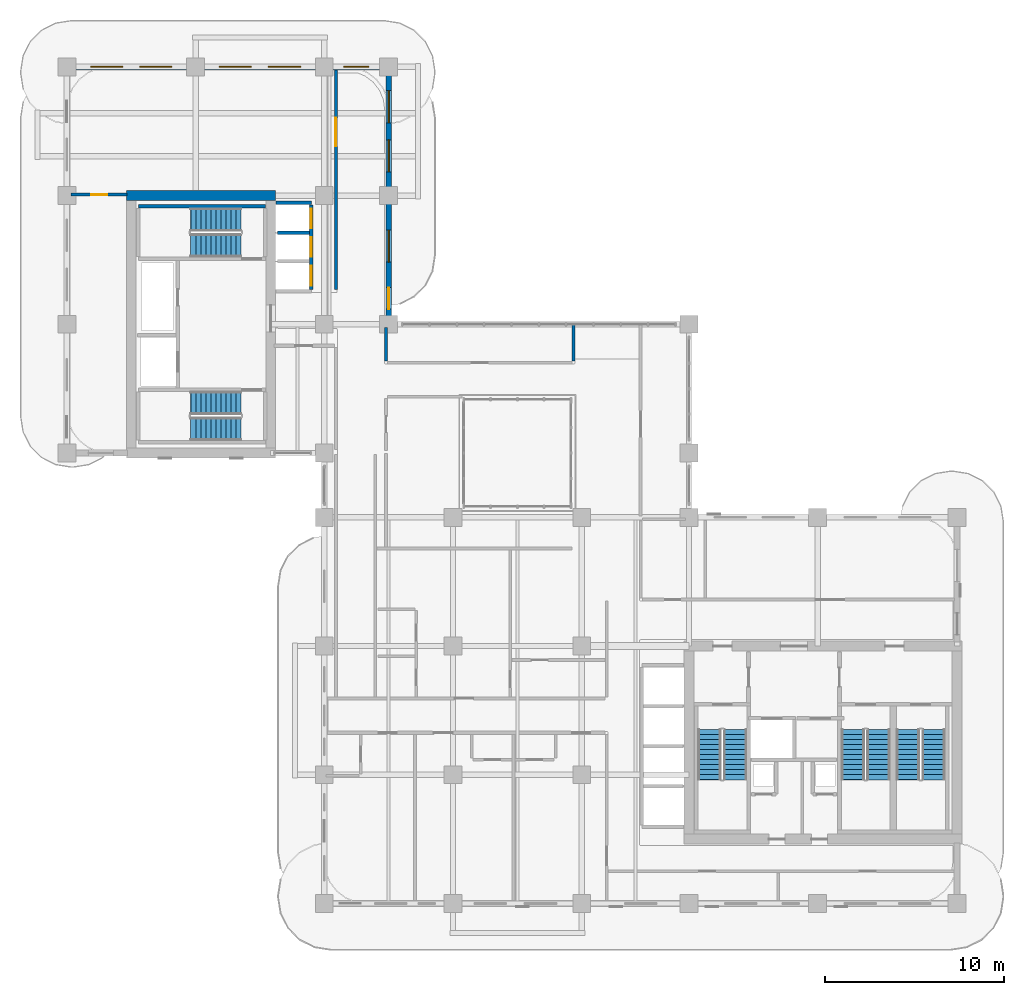
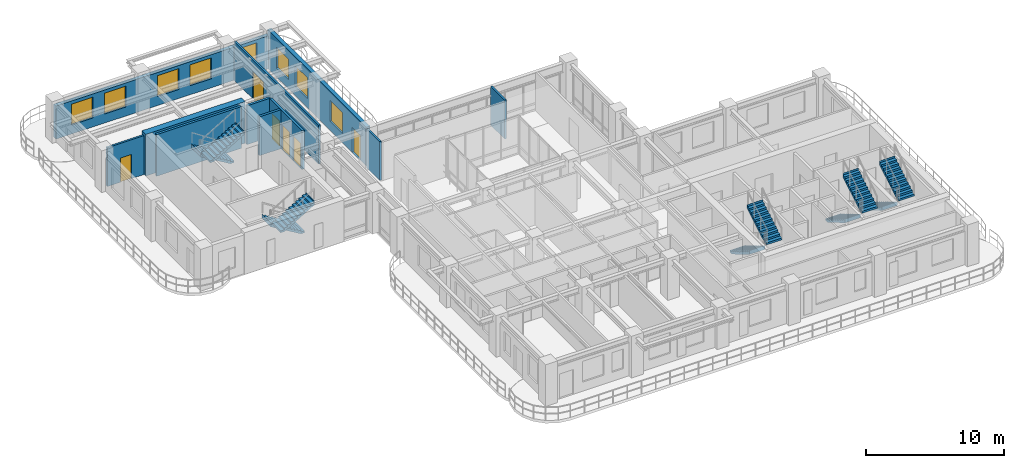
# One storey, part 15 of 20: 11 walls, 10 stair flights, 8 windows, 6 doors, 14 openings, 5 elements without a shape of their own.
"""IFC4 building model written with IfcOpenShell, lengths in metres."""

from ifc_helpers import new_model, si_unit, derived_unit, direction, frame, frame_2d, origin, place, context, subcontext, project, spatial, polyline, rectangle, outline, extrude, source, transform, mapped, material, layer, layer_set, type_object, type_shapes, element, fill, aggregate, save


model = new_model("IFC4")

# Units and contexts
model_context = context("Model", 3, precision=1e-05, world=origin(), true_north=direction((0.0, 1.0)))
body_context = subcontext(model_context, "Body", "Model", "MODEL_VIEW")
ifc_project = project(units=[si_unit("LENGTHUNIT", "METRE"), si_unit("AREAUNIT", "SQUARE_METRE"), si_unit("VOLUMEUNIT", "CUBIC_METRE"), si_unit("PLANEANGLEUNIT", "RADIAN"), si_unit("MASSUNIT", "GRAM", prefix="KILO"), si_unit("THERMODYNAMICTEMPERATUREUNIT", "KELVIN"), si_unit("POWERUNIT", "WATT"), derived_unit("THERMALTRANSMITTANCEUNIT", [(si_unit("POWERUNIT", "WATT"), 1), (si_unit("AREAUNIT", "SQUARE_METRE"), -1), (si_unit("THERMODYNAMICTEMPERATUREUNIT", "KELVIN"), -1)])], contexts=[model_context])

# Site, building, storey
site_placement = place(None, origin())
site = spatial("IfcSite", under=ifc_project, at=site_placement, CompositionType="ELEMENT")
building_placement = place(site_placement, origin())
building = spatial("IfcBuilding", under=site, at=building_placement, Name="Zahravan Archway Hotel and Residences", CompositionType="ELEMENT")
storey_placement = place(building_placement, frame((0.0, 0.0, 130.300048828125)))
storey = spatial("IfcBuildingStorey", under=building, at=storey_placement, Name="L32", CompositionType="ELEMENT", Elevation=130.300048828125)

# Wall
ifc_material_1 = material(Name="Concrete C70/85", Category="concrete")
ifc_layer_1 = layer(ifc_material_1, 0.550048828125, Name="Concrete C70/85", Category="concrete")
ifc_layer_set_1 = layer_set([ifc_layer_1], Name="Concrete C70/85")
wall_type_1 = type_object("IfcWallType", Name="CW-CORE-550", PredefinedType="SHEAR", material=ifc_layer_set_1)
wall_1_placement = place(storey_placement, frame((3.324951171875, 39.60009765625, 0.0), z_axis=(0.0, 0.0, 1.0), x_axis=(1.0, 0.0, 0.0)))
element("IfcWall", 1, at=wall_1_placement, inside=storey, type_object=wall_type_1, Name="L32 Core B Shear N Wall 550 mm", PredefinedType="SHEAR", context=body_context, shape_type="SweptSolid", body=[
    extrude(rectangle(XDim=8.35009765625, YDim=0.550048828125, at=frame_2d((4.175048828125, 0.0))), origin(), (0.0, 0.0, 1.0), 3.699951171875),
])

# Wall, openings, windows
ifc_material_2 = material(Name="Agra Buff Sandstone & Insulated Backup", Category="masonry")
ifc_layer_2 = layer(ifc_material_2, 0.320068359375, Name="Agra Buff Sandstone & Insulated Backup", Category="masonry")
ifc_layer_set_2 = layer_set([ifc_layer_2], Name="Agra Buff Sandstone & Insulated Backup")
wall_type_2 = type_object("IfcWallType", Name="EW-SAND-320", PredefinedType="SOLIDWALL", material=ifc_layer_set_2)
wall_2_placement = place(storey_placement, frame((0.0, 46.800048828125, 0.0), z_axis=(0.0, 0.0, 1.0), x_axis=(1.0, 0.0, 0.0)))
wall_2 = element("IfcWall", 2, at=wall_2_placement, inside=storey, type_object=wall_type_2, Name="L32 Exterior Sandstone Wall WB-N", PredefinedType="SOLIDWALL", context=body_context, shape_type="SweptSolid", body=[
    extrude(rectangle(XDim=18.0, YDim=0.320068359375, at=frame_2d((9.0, 0.0))), origin(), (0.0, 0.0, 1.0), 2.93505859375),
])
opening_1_placement = place(wall_2_placement, frame((1.324951171875, 0.0, 0.800048828125)))
opening_1 = element("IfcOpeningElement", 3, at=opening_1_placement, cuts=wall_2, Name="Opening W-02", PredefinedType="OPENING", context=body_context, shape_type="SweptSolid", body=[
    extrude(rectangle(XDim=1.800048828125, YDim=1.85009765625, at=frame_2d((0.89990234375, 0.925048828125))), frame((0.0, 0.169921875, 0.0), z_axis=(0.0, -1.0, 0.0), x_axis=(1.0, 0.0, 0.0)), (0.0, 0.0, 1.0), 0.340087890625),
])
opening_2_placement = place(wall_2_placement, frame((4.074951171875, 0.0, 0.800048828125)))
opening_2 = element("IfcOpeningElement", 4, at=opening_2_placement, cuts=wall_2, Name="Opening W-02", PredefinedType="OPENING", context=body_context, shape_type="SweptSolid", body=[
    extrude(rectangle(XDim=1.800048828125, YDim=1.85009765625, at=frame_2d((0.89990234375, 0.925048828125))), frame((0.0, 0.169921875, 0.0), z_axis=(0.0, -1.0, 0.0), x_axis=(1.0, 0.0, 0.0)), (0.0, 0.0, 1.0), 0.340087890625),
])
opening_3_placement = place(wall_2_placement, frame((8.52490234375, 0.0, 0.800048828125)))
opening_3 = element("IfcOpeningElement", 5, at=opening_3_placement, cuts=wall_2, Name="Opening W-02", PredefinedType="OPENING", context=body_context, shape_type="SweptSolid", body=[
    extrude(rectangle(XDim=1.800048828125, YDim=1.85009765625, at=frame_2d((0.89990234375, 0.925048828125))), frame((0.0, 0.169921875, 0.0), z_axis=(0.0, -1.0, 0.0), x_axis=(1.0, 0.0, 0.0)), (0.0, 0.0, 1.0), 0.340087890625),
])
opening_4_placement = place(wall_2_placement, frame((11.27490234375, 0.0, 0.800048828125)))
opening_4 = element("IfcOpeningElement", 6, at=opening_4_placement, cuts=wall_2, Name="Opening W-02", PredefinedType="OPENING", context=body_context, shape_type="SweptSolid", body=[
    extrude(rectangle(XDim=1.800048828125, YDim=1.85009765625, at=frame_2d((0.89990234375, 0.925048828125))), frame((0.0, 0.169921875, 0.0), z_axis=(0.0, -1.0, 0.0), x_axis=(1.0, 0.0, 0.0)), (0.0, 0.0, 1.0), 0.340087890625),
])
opening_5_placement = place(wall_2_placement, frame((15.5, 0.0, 0.800048828125)))
opening_5 = element("IfcOpeningElement", 7, at=opening_5_placement, cuts=wall_2, Name="Opening W-03", PredefinedType="OPENING", context=body_context, shape_type="SweptSolid", body=[
    extrude(rectangle(XDim=1.39990234375, YDim=1.85009765625, at=frame_2d((0.699951171875, 0.925048828125))), frame((0.0, 0.169921875, 0.0), z_axis=(0.0, -1.0, 0.0), x_axis=(1.0, 0.0, 0.0)), (0.0, 0.0, 1.0), 0.340087890625),
])
ifc_material_3 = material(Name="Bronze-Anodized Thermal-Break Aluminium & Low-E Glass", Category="aluminium")
window_type_1 = type_object("IfcWindowType", Name="WIN-TWR-1400", PartitioningType="SINGLE_PANEL", PredefinedType="WINDOW", material=ifc_material_3)
shared_shape_1 = source(origin(), body_context, "Body", "SweptSolid", [
    extrude(rectangle(XDim=1.39990234375, YDim=1.85009765625, at=frame_2d((0.699951171875, 0.925048828125))), frame((0.0, 0.030029296875, 0.0), z_axis=(0.0, -1.0, 0.0), x_axis=(1.0, 0.0, 0.0)), (0.0, 0.0, 1.0), 0.06005859375),
])
type_shapes(window_type_1, [shared_shape_1])
window_1_placement = place(opening_5_placement, origin())
window_1 = element("IfcWindow", 8, at=window_1_placement, inside=storey, type_object=window_type_1, Name="L32 Loggia Window 30", OverallHeight=1.85009765625, OverallWidth=1.39990234375, PartitioningType="SINGLE_PANEL", PredefinedType="WINDOW", context=body_context, shape_type="MappedRepresentation", body=[
    mapped(shared_shape_1, transform((0.0, 0.0, 0.0), scale=1.0)),
])
fill(opening_5, window_1)
window_type_2 = type_object("IfcWindowType", Name="WIN-TWR-1800", PartitioningType="DOUBLE_PANEL_VERTICAL", PredefinedType="WINDOW", material=ifc_material_3)
shared_shape_2 = source(origin(), body_context, "Body", "SweptSolid", [
    extrude(rectangle(XDim=1.800048828125, YDim=1.85009765625, at=frame_2d((0.89990234375, 0.925048828125))), frame((0.0, 0.030029296875, 0.0), z_axis=(0.0, -1.0, 0.0), x_axis=(1.0, 0.0, 0.0)), (0.0, 0.0, 1.0), 0.06005859375),
])
type_shapes(window_type_2, [shared_shape_2])
window_2_placement = place(opening_1_placement, origin())
window_2 = element("IfcWindow", 9, at=window_2_placement, inside=storey, type_object=window_type_2, Name="L32 Loggia Window 26", OverallHeight=1.85009765625, OverallWidth=1.800048828125, PartitioningType="DOUBLE_PANEL_VERTICAL", PredefinedType="WINDOW", context=body_context, shape_type="MappedRepresentation", body=[
    mapped(shared_shape_2, transform((0.0, 0.0, 0.0), scale=1.0)),
])
fill(opening_1, window_2)
window_3_placement = place(opening_2_placement, origin())
window_3 = element("IfcWindow", 10, at=window_3_placement, inside=storey, type_object=window_type_2, Name="L32 Loggia Window 27", OverallHeight=1.85009765625, OverallWidth=1.800048828125, PartitioningType="DOUBLE_PANEL_VERTICAL", PredefinedType="WINDOW", context=body_context, shape_type="MappedRepresentation", body=[
    mapped(shared_shape_2, transform((0.0, 0.0, 0.0), scale=1.0)),
])
fill(opening_2, window_3)
window_4_placement = place(opening_3_placement, origin())
window_4 = element("IfcWindow", 11, at=window_4_placement, inside=storey, type_object=window_type_2, Name="L32 Loggia Window 28", OverallHeight=1.85009765625, OverallWidth=1.800048828125, PartitioningType="DOUBLE_PANEL_VERTICAL", PredefinedType="WINDOW", context=body_context, shape_type="MappedRepresentation", body=[
    mapped(shared_shape_2, transform((0.0, 0.0, 0.0), scale=1.0)),
])
fill(opening_3, window_4)
window_5_placement = place(opening_4_placement, origin())
window_5 = element("IfcWindow", 12, at=window_5_placement, inside=storey, type_object=window_type_2, Name="L32 Loggia Window 29", OverallHeight=1.85009765625, OverallWidth=1.800048828125, PartitioningType="DOUBLE_PANEL_VERTICAL", PredefinedType="WINDOW", context=body_context, shape_type="MappedRepresentation", body=[
    mapped(shared_shape_2, transform((0.0, 0.0, 0.0), scale=1.0)),
])
fill(opening_4, window_5)

# Wall, openings, door, windows
wall_3_placement = place(storey_placement, frame((18.0, 32.39990234375, 0.0), z_axis=(0.0, 0.0, 1.0), x_axis=(0.0, 1.0, 0.0)))
wall_3 = element("IfcWall", 13, at=wall_3_placement, inside=storey, type_object=wall_type_2, Name="L32 Exterior Sandstone Wall WB-EU", PredefinedType="SOLIDWALL", context=body_context, shape_type="SweptSolid", body=[
    extrude(rectangle(XDim=14.35009765625, YDim=0.320068359375, at=frame_2d((7.175048828125, 0.0))), origin(), (0.0, 0.0, 1.0), 3.449951171875),
])
opening_6_placement = place(wall_3_placement, frame((0.85009765625, 0.0, 0.0)))
opening_6 = element("IfcOpeningElement", 14, at=opening_6_placement, cuts=wall_3, Name="Opening ED-BL1", PredefinedType="OPENING", context=body_context, shape_type="SweptSolid", body=[
    extrude(rectangle(XDim=1.199951171875, YDim=2.199951171875, at=frame_2d((0.60009765625, 1.10009765625))), frame((0.0, 0.169921875, 0.0), z_axis=(0.0, -1.0, 0.0), x_axis=(1.0, 0.0, 0.0)), (0.0, 0.0, 1.0), 0.340087890625),
])
opening_7_placement = place(wall_3_placement, frame((3.47509765625, 0.0, 0.800048828125)))
opening_7 = element("IfcOpeningElement", 15, at=opening_7_placement, cuts=wall_3, Name="Opening W-02", PredefinedType="OPENING", context=body_context, shape_type="SweptSolid", body=[
    extrude(rectangle(XDim=1.800048828125, YDim=1.85009765625, at=frame_2d((0.89990234375, 0.925048828125))), frame((0.0, 0.169921875, 0.0), z_axis=(0.0, -1.0, 0.0), x_axis=(1.0, 0.0, 0.0)), (0.0, 0.0, 1.0), 0.340087890625),
])
opening_8_placement = place(wall_3_placement, frame((8.52490234375, 0.0, 0.800048828125)))
opening_8 = element("IfcOpeningElement", 16, at=opening_8_placement, cuts=wall_3, Name="Opening W-02", PredefinedType="OPENING", context=body_context, shape_type="SweptSolid", body=[
    extrude(rectangle(XDim=1.800048828125, YDim=1.85009765625, at=frame_2d((0.89990234375, 0.925048828125))), frame((0.0, 0.169921875, 0.0), z_axis=(0.0, -1.0, 0.0), x_axis=(1.0, 0.0, 0.0)), (0.0, 0.0, 1.0), 0.340087890625),
])
opening_9_placement = place(wall_3_placement, frame((11.27490234375, 0.0, 0.800048828125)))
opening_9 = element("IfcOpeningElement", 17, at=opening_9_placement, cuts=wall_3, Name="Opening W-02", PredefinedType="OPENING", context=body_context, shape_type="SweptSolid", body=[
    extrude(rectangle(XDim=1.800048828125, YDim=1.85009765625, at=frame_2d((0.89990234375, 0.925048828125))), frame((0.0, 0.169921875, 0.0), z_axis=(0.0, -1.0, 0.0), x_axis=(1.0, 0.0, 0.0)), (0.0, 0.0, 1.0), 0.340087890625),
])
ifc_material_4 = material(Name="Bronze-Anodized Glazed Aluminium", Category="aluminium")
door_type_1 = type_object("IfcDoorType", Name="ED-BALC-1200", OperationType="SLIDING_TO_LEFT", PredefinedType="DOOR", material=ifc_material_4)
shared_shape_3 = source(origin(), body_context, "Body", "SweptSolid", [
    extrude(rectangle(XDim=1.199951171875, YDim=2.199951171875, at=frame_2d((0.60009765625, 1.10009765625))), frame((0.0, 0.02490234375, 0.0), z_axis=(0.0, -1.0, 0.0), x_axis=(1.0, 0.0, 0.0)), (0.0, 0.0, 1.0), 0.050048828125),
])
type_shapes(door_type_1, [shared_shape_3])
door_1_placement = place(opening_6_placement, origin())
door_1 = element("IfcDoor", 18, at=door_1_placement, inside=storey, type_object=door_type_1, Name="L32 Outdoor Access Sliding Door (SLB-BAL-L32-EB)", OperationType="SLIDING_TO_LEFT", OverallHeight=2.199951171875, OverallWidth=1.199951171875, PredefinedType="DOOR", context=body_context, shape_type="MappedRepresentation", body=[
    mapped(shared_shape_3, transform((0.0, 0.0, 0.0), scale=1.0)),
])
fill(opening_6, door_1)
window_6_placement = place(opening_7_placement, origin())
window_6 = element("IfcWindow", 19, at=window_6_placement, inside=storey, type_object=window_type_2, Name="L32 Loggia Window 31", OverallHeight=1.85009765625, OverallWidth=1.800048828125, PartitioningType="DOUBLE_PANEL_VERTICAL", PredefinedType="WINDOW", context=body_context, shape_type="MappedRepresentation", body=[
    mapped(shared_shape_2, transform((0.0, 0.0, 0.0), scale=1.0)),
])
fill(opening_7, window_6)
window_7_placement = place(opening_8_placement, origin())
window_7 = element("IfcWindow", 20, at=window_7_placement, inside=storey, type_object=window_type_2, Name="L32 Loggia Window 32", OverallHeight=1.85009765625, OverallWidth=1.800048828125, PartitioningType="DOUBLE_PANEL_VERTICAL", PredefinedType="WINDOW", context=body_context, shape_type="MappedRepresentation", body=[
    mapped(shared_shape_2, transform((0.0, 0.0, 0.0), scale=1.0)),
])
fill(opening_8, window_7)
window_8_placement = place(opening_9_placement, origin())
window_8 = element("IfcWindow", 21, at=window_8_placement, inside=storey, type_object=window_type_2, Name="L32 Loggia Window 33", OverallHeight=1.85009765625, OverallWidth=1.800048828125, PartitioningType="DOUBLE_PANEL_VERTICAL", PredefinedType="WINDOW", context=body_context, shape_type="MappedRepresentation", body=[
    mapped(shared_shape_2, transform((0.0, 0.0, 0.0), scale=1.0)),
])
fill(opening_9, window_8)

# Wall, opening, door
ifc_material_5 = material(Name="Fire-Rated Gypsum & Concrete Block", Category="concrete")
ifc_layer_3 = layer(ifc_material_5, 0.159912109375, Name="Fire-Rated Gypsum & Concrete Block", Category="concrete")
ifc_layer_set_3 = layer_set([ifc_layer_3], Name="Fire-Rated Gypsum & Concrete Block")
wall_type_3 = type_object("IfcWallType", Name="PW-CORR-160", PredefinedType="PARTITIONING", material=ifc_layer_set_3)
wall_4_placement = place(storey_placement, frame((15.050048828125, 34.340087890625, 0.0), z_axis=(0.0, 0.0, 1.0), x_axis=(0.0, 1.0, 0.0)))
wall_4 = element("IfcWall", 22, at=wall_4_placement, inside=storey, type_object=wall_type_3, Name="L32 Partition WBN-C", PredefinedType="PARTITIONING", context=body_context, shape_type="SweptSolid", body=[
    extrude(rectangle(XDim=12.2919921875, YDim=0.159912109375, at=frame_2d((6.14599609375, 0.0))), origin(), (0.0, 0.0, 1.0), 3.449951171875),
])
opening_10_placement = place(wall_4_placement, frame((8.010009765625, 0.0, 0.0)))
opening_10 = element("IfcOpeningElement", 23, at=opening_10_placement, cuts=wall_4, Name="Opening D-P2", PredefinedType="OPENING", context=body_context, shape_type="SweptSolid", body=[
    extrude(rectangle(XDim=1.60009765625, YDim=2.39990234375, at=frame_2d((0.800048828125, 1.199951171875))), frame((0.0, 0.08984375, 0.0), z_axis=(0.0, -1.0, 0.0), x_axis=(1.0, 0.0, 0.0)), (0.0, 0.0, 1.0), 0.179931640625),
])
door_type_2 = type_object("IfcDoorType", Name="ID-PUBLIC-1600", OperationType="DOUBLE_DOOR_SINGLE_SWING", PredefinedType="DOOR", material=ifc_material_4)
shared_shape_4 = source(origin(), body_context, "Body", "SweptSolid", [
    extrude(rectangle(XDim=1.60009765625, YDim=2.39990234375, at=frame_2d((0.800048828125, 1.199951171875))), frame((0.0, 0.02490234375, 0.0), z_axis=(0.0, -1.0, 0.0), x_axis=(1.0, 0.0, 0.0)), (0.0, 0.0, 1.0), 0.050048828125),
])
type_shapes(door_type_2, [shared_shape_4])
door_2_placement = place(opening_10_placement, origin())
door_2 = element("IfcDoor", 24, at=door_2_placement, inside=storey, type_object=door_type_2, Name="L32 North Wing Spa Salon Door", OperationType="DOUBLE_DOOR_SINGLE_SWING", OverallHeight=2.39990234375, OverallWidth=1.60009765625, PredefinedType="DOOR", context=body_context, shape_type="MappedRepresentation", body=[
    mapped(shared_shape_4, transform((0.0, 0.0, 0.0), scale=1.0)),
])
fill(opening_10, door_2)

# Walls
wall_5_placement = place(storey_placement, frame((17.85009765625, 30.340087890625, 0.0), z_axis=(0.0, 0.0, 1.0), x_axis=(0.0, 1.0, 0.0)))
element("IfcWall", 25, at=wall_5_placement, inside=storey, type_object=wall_type_3, Name="L32 Partition ATR-NWW2", PredefinedType="PARTITIONING", context=body_context, shape_type="SweptSolid", body=[
    extrude(rectangle(XDim=1.869873046875, YDim=0.159912109375, at=frame_2d((0.93505859375, 0.0))), origin(), (0.0, 0.0, 1.0), 3.449951171875),
])
wall_6_placement = place(storey_placement, frame((28.35009765625, 30.340087890625, 0.0), z_axis=(0.0, 0.0, 1.0), x_axis=(0.0, 1.0, 0.0)))
element("IfcWall", 26, at=wall_6_placement, inside=storey, type_object=wall_type_3, Name="L32 Partition ATR-NWE", PredefinedType="PARTITIONING", context=body_context, shape_type="SweptSolid", body=[
    extrude(rectangle(XDim=2.031982421875, YDim=0.159912109375, at=frame_2d((1.01611328125, 0.0))), origin(), (0.0, 0.0, 1.0), 3.449951171875),
])
ifc_layer_4 = layer(ifc_material_5, 0.199951171875, Name="Fire-Rated Gypsum & Concrete Block", Category="concrete")
ifc_layer_set_4 = layer_set([ifc_layer_4], Name="Fire-Rated Gypsum & Concrete Block")
wall_type_4 = type_object("IfcWallType", Name="PW-SHAFT-200", PredefinedType="PARTITIONING", material=ifc_layer_set_4)
wall_7_placement = place(storey_placement, frame((11.68505859375, 39.18994140625, 0.0), z_axis=(0.0, 0.0, 1.0), x_axis=(1.0, 0.0, 0.0)))
element("IfcWall", 27, at=wall_7_placement, inside=storey, type_object=wall_type_4, Name="L32 Partition B2-N", PredefinedType="PARTITIONING", context=body_context, shape_type="SweptSolid", body=[
    extrude(rectangle(XDim=1.98486328125, YDim=0.199951171875, at=frame_2d((0.992431640625, 0.0))), origin(), (0.0, 0.0, 1.0), 3.449951171875),
])

# Wall, openings, doors
wall_8_placement = place(storey_placement, frame((13.679931640625, 34.360107421875, 0.0), z_axis=(0.0, 0.0, 1.0), x_axis=(0.0, 1.0, 0.0)))
wall_8 = element("IfcWall", 28, at=wall_8_placement, inside=storey, type_object=wall_type_4, Name="L32 Partition B2-E", PredefinedType="PARTITIONING", context=body_context, shape_type="SweptSolid", body=[
    extrude(rectangle(XDim=4.719970703125, YDim=0.199951171875, at=frame_2d((2.35986328125, 0.0))), origin(), (0.0, 0.0, 1.0), 3.449951171875),
])
opening_11_placement = place(wall_8_placement, frame((0.2099609375, 0.0, 0.0)))
opening_11 = element("IfcOpeningElement", 29, at=opening_11_placement, cuts=wall_8, Name="Opening LD", PredefinedType="OPENING", context=body_context, shape_type="SweptSolid", body=[
    extrude(rectangle(XDim=1.10009765625, YDim=2.199951171875, at=frame_2d((0.550048828125, 1.10009765625))), frame((0.0, 0.10986328125, 0.0), z_axis=(0.0, -1.0, 0.0), x_axis=(1.0, 0.0, 0.0)), (0.0, 0.0, 1.0), 0.219970703125),
])
opening_12_placement = place(wall_8_placement, frame((1.81005859375, 0.0, 0.0)))
opening_12 = element("IfcOpeningElement", 30, at=opening_12_placement, cuts=wall_8, Name="Opening LD", PredefinedType="OPENING", context=body_context, shape_type="SweptSolid", body=[
    extrude(rectangle(XDim=1.10009765625, YDim=2.199951171875, at=frame_2d((0.550048828125, 1.10009765625))), frame((0.0, 0.10986328125, 0.0), z_axis=(0.0, -1.0, 0.0), x_axis=(1.0, 0.0, 0.0)), (0.0, 0.0, 1.0), 0.219970703125),
])
opening_13_placement = place(wall_8_placement, frame((3.409912109375, 0.0, 0.0)))
opening_13 = element("IfcOpeningElement", 31, at=opening_13_placement, cuts=wall_8, Name="Opening LD", PredefinedType="OPENING", context=body_context, shape_type="SweptSolid", body=[
    extrude(rectangle(XDim=1.10009765625, YDim=2.199951171875, at=frame_2d((0.550048828125, 1.10009765625))), frame((0.0, 0.10986328125, 0.0), z_axis=(0.0, -1.0, 0.0), x_axis=(1.0, 0.0, 0.0)), (0.0, 0.0, 1.0), 0.219970703125),
])
ifc_material_6 = material(Name="Brushed Stainless Steel", Category="steel")
door_type_3 = type_object("IfcDoorType", Name="DR-LIFT-LD", OperationType="SLIDING_TO_LEFT", PredefinedType="DOOR", material=ifc_material_6)
shared_shape_5 = source(origin(), body_context, "Body", "SweptSolid", [
    extrude(rectangle(XDim=1.10009765625, YDim=2.199951171875, at=frame_2d((0.550048828125, 1.10009765625))), frame((0.0, 0.02490234375, 0.0), z_axis=(0.0, -1.0, 0.0), x_axis=(1.0, 0.0, 0.0)), (0.0, 0.0, 1.0), 0.050048828125),
])
type_shapes(door_type_3, [shared_shape_5])
door_3_placement = place(opening_11_placement, origin())
door_3 = element("IfcDoor", 32, at=door_3_placement, inside=storey, type_object=door_type_3, Name="L32 Lift LP-4 Sliding Landing Door", OperationType="SLIDING_TO_LEFT", OverallHeight=2.199951171875, OverallWidth=1.10009765625, PredefinedType="DOOR", context=body_context, shape_type="MappedRepresentation", body=[
    mapped(shared_shape_5, transform((0.0, 0.0, 0.0), scale=1.0)),
])
fill(opening_11, door_3)
door_4_placement = place(opening_12_placement, origin())
door_4 = element("IfcDoor", 33, at=door_4_placement, inside=storey, type_object=door_type_3, Name="L32 Lift LP-5 Sliding Landing Door", OperationType="SLIDING_TO_LEFT", OverallHeight=2.199951171875, OverallWidth=1.10009765625, PredefinedType="DOOR", context=body_context, shape_type="MappedRepresentation", body=[
    mapped(shared_shape_5, transform((0.0, 0.0, 0.0), scale=1.0)),
])
fill(opening_12, door_4)
door_5_placement = place(opening_13_placement, origin())
door_5 = element("IfcDoor", 34, at=door_5_placement, inside=storey, type_object=door_type_3, Name="L32 Lift LP-6 Sliding Landing Door", OperationType="SLIDING_TO_LEFT", OverallHeight=2.199951171875, OverallWidth=1.10009765625, PredefinedType="DOOR", context=body_context, shape_type="MappedRepresentation", body=[
    mapped(shared_shape_5, transform((0.0, 0.0, 0.0), scale=1.0)),
])
fill(opening_13, door_5)

# Wall
wall_9_placement = place(storey_placement, frame((11.784912109375, 37.52001953125, 0.0), z_axis=(0.0, 0.0, 1.0), x_axis=(1.0, 0.0, 0.0)))
element("IfcWall", 35, at=wall_9_placement, inside=storey, type_object=wall_type_4, Name="L32 Partition B2-D", PredefinedType="PARTITIONING", context=body_context, shape_type="SweptSolid", body=[
    extrude(rectangle(XDim=1.78515625, YDim=0.199951171875, at=frame_2d((0.892578125, 0.0))), origin(), (0.0, 0.0, 1.0), 3.449951171875),
])

# Wall, opening, door
ifc_material_7 = material(Name="Acoustic Stud Partition")
ifc_layer_5 = layer(ifc_material_7, 0.169921875, Name="Acoustic Stud Partition")
ifc_layer_set_5 = layer_set([ifc_layer_5], Name="Acoustic Stud Partition")
wall_type_5 = type_object("IfcWallType", Name="PW-UNIT-170", PredefinedType="PARTITIONING", material=ifc_layer_set_5)
wall_10_placement = place(storey_placement, frame((0.239990234375, 39.64990234375, 0.0), z_axis=(0.0, 0.0, 1.0), x_axis=(1.0, 0.0, 0.0)))
wall_10 = element("IfcWall", 36, at=wall_10_placement, inside=storey, type_object=wall_type_5, Name="L32 Partition WBW-N", PredefinedType="PARTITIONING", context=body_context, shape_type="SweptSolid", body=[
    extrude(rectangle(XDim=3.1201171875, YDim=0.169921875, at=frame_2d((1.56005859375, 0.0))), origin(), (0.0, 0.0, 1.0), 3.449951171875),
])
opening_14_placement = place(wall_10_placement, frame((1.110107421875, 0.0, 0.0)))
opening_14 = element("IfcOpeningElement", 37, at=opening_14_placement, cuts=wall_10, Name="Opening D-I2", PredefinedType="OPENING", context=body_context, shape_type="SweptSolid", body=[
    extrude(rectangle(XDim=0.89990234375, YDim=2.14990234375, at=frame_2d((0.449951171875, 1.074951171875))), frame((0.0, 0.094970703125, 0.0), z_axis=(0.0, -1.0, 0.0), x_axis=(1.0, 0.0, 0.0)), (0.0, 0.0, 1.0), 0.18994140625),
])
ifc_material_8 = material(Name="Hardwood Veneer Timber", Category="wood")
door_type_4 = type_object("IfcDoorType", Name="ID-INT-900", OperationType="NOTDEFINED", PredefinedType="DOOR", material=ifc_material_8)
shared_shape_6 = source(origin(), body_context, "Body", "SweptSolid", [
    extrude(rectangle(XDim=0.89990234375, YDim=2.14990234375, at=frame_2d((0.449951171875, 1.074951171875))), frame((0.0, 0.02490234375, 0.0), z_axis=(0.0, -1.0, 0.0), x_axis=(1.0, 0.0, 0.0)), (0.0, 0.0, 1.0), 0.050048828125),
])
type_shapes(door_type_4, [shared_shape_6])
door_6_placement = place(opening_14_placement, origin())
door_6 = element("IfcDoor", 38, at=door_6_placement, inside=storey, type_object=door_type_4, Name="L32 West Loggia Salon Door", OperationType="SINGLE_SWING_RIGHT", OverallHeight=2.14990234375, OverallWidth=0.89990234375, PredefinedType="DOOR", context=body_context, shape_type="MappedRepresentation", body=[
    mapped(shared_shape_6, transform((0.0, 0.0, 0.0), scale=1.0)),
])
fill(opening_14, door_6)

# Wall
ifc_material_9 = material(Name="Concrete C50/60", Category="concrete")
ifc_layer_6 = layer(ifc_material_9, 0.199951171875, Name="Concrete C50/60", Category="concrete")
ifc_layer_set_6 = layer_set([ifc_layer_6], Name="Concrete C50/60")
wall_type_6 = type_object("IfcWallType", Name="SW-STAIR-200", PredefinedType="SHEAR", material=ifc_layer_set_6)
wall_11_placement = place(storey_placement, frame((4.0, 39.0, 0.0), z_axis=(0.0, 0.0, 1.0), x_axis=(1.0, 0.0, 0.0)))
element("IfcWall", 39, at=wall_11_placement, inside=storey, type_object=wall_type_6, Name="L32 Stairwell RC Wall CB-SB2N", PredefinedType="SHEAR", context=body_context, shape_type="SweptSolid", body=[
    extrude(rectangle(XDim=7.10009765625, YDim=0.199951171875, at=frame_2d((3.550048828125, 0.0))), origin(), (0.0, 0.0, 1.0), 3.699951171875),
])

# Stair, stair flights
stair_type = type_object("IfcStairType", Name="STR-CORE-1300", PredefinedType="HALF_TURN_STAIR", material=ifc_material_9)
stair_1_placement = place(storey_placement, origin())
stair_1 = element("IfcStair", 40, at=stair_1_placement, inside=storey, type_object=stair_type, Name="L32 Core A Exit Stair 1", PredefinedType="HALF_TURN_STAIR")
ifc_layer_7 = layer(ifc_material_9, 0.199951171875, Name="Concrete C50/60", Category="concrete")
ifc_layer_set_7 = layer_set([ifc_layer_7], Name="Concrete C50/60")
stair_flight_type = type_object("IfcStairFlightType", Name="SFL-CORE-1300", PredefinedType="STRAIGHT", material=ifc_layer_set_7)
shared_shape_7 = source(origin(), body_context, "Body", "SweptSolid", [
    extrude(outline(polyline([(-0.01611328125, 0.0), (-0.01611328125, 0.168212890625), (0.280029296875, 0.168212890625), (0.280029296875, 0.33642578125), (0.56005859375, 0.33642578125), (0.56005859375, 0.504638671875), (0.840087890625, 0.504638671875), (0.840087890625, 0.672607421875), (1.1201171875, 0.672607421875), (1.1201171875, 0.8408203125), (1.39990234375, 0.8408203125), (1.39990234375, 1.009033203125), (1.679931640625, 1.009033203125), (1.679931640625, 1.17724609375), (1.9599609375, 1.17724609375), (1.9599609375, 1.345458984375), (2.239990234375, 1.345458984375), (2.239990234375, 1.513671875), (2.52001953125, 1.513671875), (2.52001953125, 1.681884765625), (2.800048828125, 1.681884765625), (2.800048828125, 1.85009765625), (2.816162109375, 1.85009765625), (2.816162109375, 1.5068359375), (0.291015625, 0.0), (-0.01611328125, 0.0)])), frame((0.0, 0.64990234375, 0.0), z_axis=(0.0, -1.0, 0.0), x_axis=(1.0, 0.0, 0.0)), (0.0, 0.0, 1.0), 1.300048828125),
])
stair_flight_1_placement = place(storey_placement, frame((35.949951171875, 9.72998046875, 0.0), z_axis=(0.0, 0.0, 1.0), x_axis=(0.0, -1.0, 0.0)))
stair_flight_1 = element("IfcStairFlight", 41, at=stair_flight_1_placement, type_object=stair_flight_type, Name="ST-A1 flight 1", NumberOfRisers=11, NumberOfTreads=10, PredefinedType="STRAIGHT", RiserHeight=0.168181818, TreadLength=0.28, context=body_context, shape_type="MappedRepresentation", body=[
    mapped(shared_shape_7, transform((0.0, 0.0, 0.0), scale=1.0)),
])
stair_flight_2_placement = place(storey_placement, frame((37.389892578125, 6.929931640625, 1.849853515625), z_axis=(0.0, 0.0, 1.0), x_axis=(0.0, 1.0, 0.0)))
stair_flight_2 = element("IfcStairFlight", 42, at=stair_flight_2_placement, type_object=stair_flight_type, Name="ST-A1 flight 2", NumberOfRisers=11, NumberOfTreads=10, PredefinedType="STRAIGHT", RiserHeight=0.168181818, TreadLength=0.28, context=body_context, shape_type="MappedRepresentation", body=[
    mapped(shared_shape_7, transform((0.0, 0.0, 0.0), scale=1.0)),
])
aggregate(stair_1, [stair_flight_1, stair_flight_2])

stair_2_placement = place(storey_placement, origin())
stair_2 = element("IfcStair", 43, at=stair_2_placement, inside=storey, type_object=stair_type, Name="L32 Core A Exit Stair 2", PredefinedType="HALF_TURN_STAIR")
stair_flight_3_placement = place(storey_placement, frame((43.969970703125, 9.72998046875, 0.0), z_axis=(0.0, 0.0, 1.0), x_axis=(0.0, -1.0, 0.0)))
stair_flight_3 = element("IfcStairFlight", 44, at=stair_flight_3_placement, type_object=stair_flight_type, Name="ST-A2 flight 1", NumberOfRisers=11, NumberOfTreads=10, PredefinedType="STRAIGHT", RiserHeight=0.168181818, TreadLength=0.28, context=body_context, shape_type="MappedRepresentation", body=[
    mapped(shared_shape_7, transform((0.0, 0.0, 0.0), scale=1.0)),
])
stair_flight_4_placement = place(storey_placement, frame((45.409912109375, 6.929931640625, 1.849853515625), z_axis=(0.0, 0.0, 1.0), x_axis=(0.0, 1.0, 0.0)))
stair_flight_4 = element("IfcStairFlight", 45, at=stair_flight_4_placement, type_object=stair_flight_type, Name="ST-A2 flight 2", NumberOfRisers=11, NumberOfTreads=10, PredefinedType="STRAIGHT", RiserHeight=0.168181818, TreadLength=0.28, context=body_context, shape_type="MappedRepresentation", body=[
    mapped(shared_shape_7, transform((0.0, 0.0, 0.0), scale=1.0)),
])
aggregate(stair_2, [stair_flight_3, stair_flight_4])

stair_3_placement = place(storey_placement, origin())
stair_3 = element("IfcStair", 46, at=stair_3_placement, inside=storey, type_object=stair_type, Name="L32 Core A Exit Stair 3", PredefinedType="HALF_TURN_STAIR")
stair_flight_5_placement = place(storey_placement, frame((47.050048828125, 9.72998046875, 0.0), z_axis=(0.0, 0.0, 1.0), x_axis=(0.0, -1.0, 0.0)))
stair_flight_5 = element("IfcStairFlight", 47, at=stair_flight_5_placement, type_object=stair_flight_type, Name="ST-A3 flight 1", NumberOfRisers=11, NumberOfTreads=10, PredefinedType="STRAIGHT", RiserHeight=0.168181818, TreadLength=0.28, context=body_context, shape_type="MappedRepresentation", body=[
    mapped(shared_shape_7, transform((0.0, 0.0, 0.0), scale=1.0)),
])
stair_flight_6_placement = place(storey_placement, frame((48.489990234375, 6.929931640625, 1.849853515625), z_axis=(0.0, 0.0, 1.0), x_axis=(0.0, 1.0, 0.0)))
stair_flight_6 = element("IfcStairFlight", 48, at=stair_flight_6_placement, type_object=stair_flight_type, Name="ST-A3 flight 2", NumberOfRisers=11, NumberOfTreads=10, PredefinedType="STRAIGHT", RiserHeight=0.168181818, TreadLength=0.28, context=body_context, shape_type="MappedRepresentation", body=[
    mapped(shared_shape_7, transform((0.0, 0.0, 0.0), scale=1.0)),
])
aggregate(stair_3, [stair_flight_5, stair_flight_6])

stair_4_placement = place(storey_placement, origin())
stair_4 = element("IfcStair", 49, at=stair_4_placement, inside=storey, type_object=stair_type, Name="L32 Core B Exit Stair 1", PredefinedType="HALF_TURN_STAIR")
stair_flight_7_placement = place(storey_placement, frame((9.72998046875, 27.989990234375, 0.0), z_axis=(0.0, 0.0, 1.0), x_axis=(-1.0, 0.0, 0.0)))
stair_flight_7 = element("IfcStairFlight", 50, at=stair_flight_7_placement, type_object=stair_flight_type, Name="ST-B1 flight 1", NumberOfRisers=11, NumberOfTreads=10, PredefinedType="STRAIGHT", RiserHeight=0.168181818, TreadLength=0.28, context=body_context, shape_type="MappedRepresentation", body=[
    mapped(shared_shape_7, transform((0.0, 0.0, 0.0), scale=1.0)),
])
stair_flight_8_placement = place(storey_placement, frame((6.929931640625, 26.550048828125, 1.849853515625), z_axis=(0.0, 0.0, 1.0), x_axis=(1.0, 0.0, 0.0)))
stair_flight_8 = element("IfcStairFlight", 51, at=stair_flight_8_placement, type_object=stair_flight_type, Name="ST-B1 flight 2", NumberOfRisers=11, NumberOfTreads=10, PredefinedType="STRAIGHT", RiserHeight=0.168181818, TreadLength=0.28, context=body_context, shape_type="MappedRepresentation", body=[
    mapped(shared_shape_7, transform((0.0, 0.0, 0.0), scale=1.0)),
])
aggregate(stair_4, [stair_flight_7, stair_flight_8])

stair_5_placement = place(storey_placement, origin())
stair_5 = element("IfcStair", 52, at=stair_5_placement, inside=storey, type_object=stair_type, Name="L32 Core B Exit Stair 2", PredefinedType="HALF_TURN_STAIR")
stair_flight_9_placement = place(storey_placement, frame((9.72998046875, 38.25, 0.0), z_axis=(0.0, 0.0, 1.0), x_axis=(-1.0, 0.0, 0.0)))
stair_flight_9 = element("IfcStairFlight", 53, at=stair_flight_9_placement, type_object=stair_flight_type, Name="ST-B2 flight 1", NumberOfRisers=11, NumberOfTreads=10, PredefinedType="STRAIGHT", RiserHeight=0.168181818, TreadLength=0.28, context=body_context, shape_type="MappedRepresentation", body=[
    mapped(shared_shape_7, transform((0.0, 0.0, 0.0), scale=1.0)),
])
stair_flight_10_placement = place(storey_placement, frame((6.929931640625, 36.81005859375, 1.849853515625), z_axis=(0.0, 0.0, 1.0), x_axis=(1.0, 0.0, 0.0)))
stair_flight_10 = element("IfcStairFlight", 54, at=stair_flight_10_placement, type_object=stair_flight_type, Name="ST-B2 flight 2", NumberOfRisers=11, NumberOfTreads=10, PredefinedType="STRAIGHT", RiserHeight=0.168181818, TreadLength=0.28, context=body_context, shape_type="MappedRepresentation", body=[
    mapped(shared_shape_7, transform((0.0, 0.0, 0.0), scale=1.0)),
])
aggregate(stair_5, [stair_flight_9, stair_flight_10])

save(model, "model.ifc")
